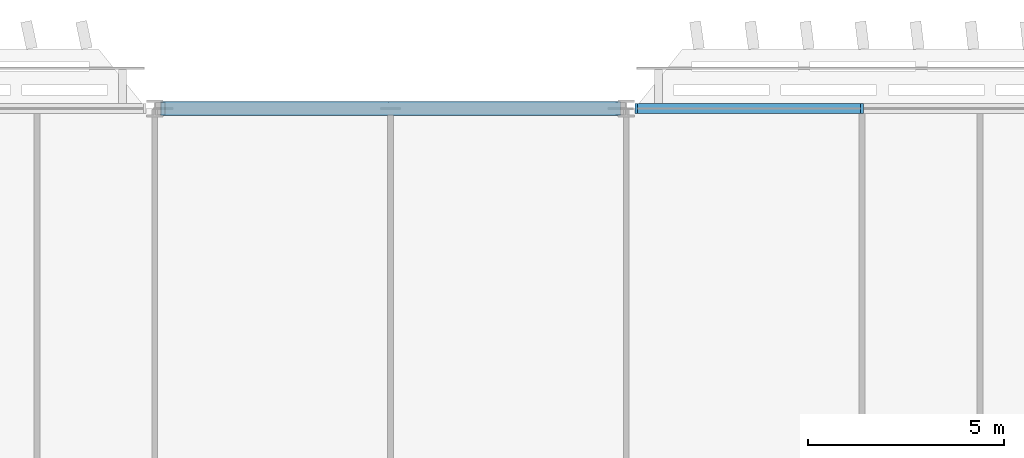
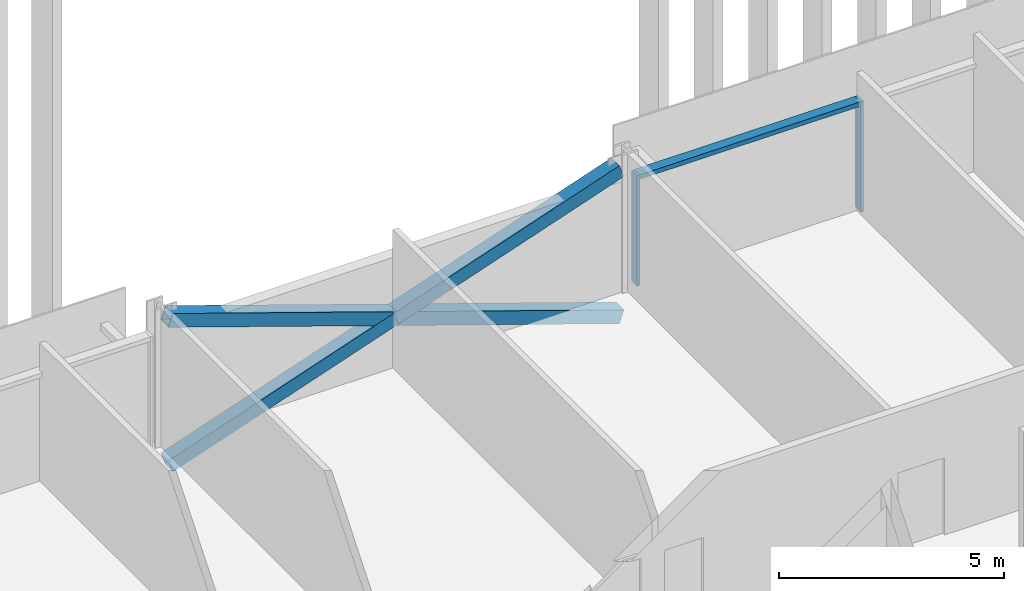
# One storey, part 6 of 33: 6 members, 1 element without a shape of its own.
"""IFC4 building model written with IfcOpenShell, lengths in metres."""

from ifc_helpers import new_model, si_unit, direction, frame, origin, origin_2d, place, context, subcontext, project, spatial, rectangle, hollow_rectangle, extrude, material, material_profile, profile_set, type_object, element, aggregate, save


model = new_model("IFC4")

# Units and contexts
model_context = context("Model", 3, precision=1e-05, world=origin(), true_north=direction((0.0, 1.0)))
body_context = subcontext(model_context, "Body", "Model", "MODEL_VIEW")
ifc_project = project(units=[si_unit("LENGTHUNIT", "METRE"), si_unit("AREAUNIT", "SQUARE_METRE"), si_unit("VOLUMEUNIT", "CUBIC_METRE"), si_unit("PLANEANGLEUNIT", "RADIAN"), si_unit("MASSUNIT", "GRAM", prefix="KILO")], contexts=[model_context])

# Site, building, storey
site_placement = place(None, origin())
site = spatial("IfcSite", under=ifc_project, at=site_placement, CompositionType="ELEMENT")
building_placement = place(site_placement, origin())
building = spatial("IfcBuilding", under=site, at=building_placement, Name="Mahtab Terrace Research Tower", CompositionType="ELEMENT")
storey_placement = place(building_placement, frame((0.0, 0.0, 122.0)))
storey = spatial("IfcBuildingStorey", under=building, at=storey_placement, Name="L28", CompositionType="ELEMENT", Elevation=122.0)

# Members
ifc_material_1 = material(Name="Steel ASTM A500 Gr C", Category="steel")
ifc_material_profile_1 = material_profile(ifc_material_1, hollow_rectangle(XDim=0.355712890625, YDim=0.355712890625, WallThickness=0.01904296875, at=origin_2d()), Name="HSS14X14X3/4")
ifc_profile_set_1 = profile_set([ifc_material_profile_1], Name="Steel ASTM A500 Gr C")
member_type_1 = type_object("IfcMemberType", Name="HSS 14x14x3/4 brace XB141434", PredefinedType="BRACE", material=ifc_profile_set_1)
member_1_placement = place(storey_placement, frame((5.794189453125, 29.0, -0.648193359375), z_axis=(-0.946288278, 0.0, 0.323324132908), x_axis=(0.0, -1.0, 0.0)))
element("IfcMember", 1, at=member_1_placement, inside=storey, type_object=member_type_1, Name="Exoskeleton brace L28 04 a", PredefinedType="BRACE", context=body_context, shape_type="SweptSolid", body=[
    extrude(hollow_rectangle(XDim=0.355712890625, YDim=0.355712890625, WallThickness=0.01904296875, at=origin_2d()), origin(), (0.0, 0.0, 1.0), 12.24609375),
])
for number, where, z_axis, x_axis, name in (
    (2, (-5.794189453125, 29.0, -0.648193359375), (0.946288278, 0.0, 0.323324132908), (0.0, 1.0, 0.0), "Exoskeleton brace L28 04 b1"),
    (3, (0.0, 29.0, 1.33154296875), (0.946288278, 0.0, 0.323324132908), (0.0, 1.0, 0.0), "Exoskeleton brace L28 04 b2"),
):
    element("IfcMember", number, at=place(storey_placement, frame(where, z_axis=z_axis, x_axis=x_axis)), inside=storey, type_object=member_type_1, Name=name, PredefinedType="BRACE", context=body_context, shape_type="SweptSolid", body=[
        extrude(hollow_rectangle(XDim=0.355712890625, YDim=0.355712890625, WallThickness=0.01904296875, at=origin_2d()), origin(), (0.0, 0.0, 1.0), 6.123046875),
    ])

# Curtain wall, members
ifc_material_2 = material(Name="Sky lounge full-height curtain wall")
curtain_wall_type = type_object("IfcCurtainWallType", Name="Sky lounge full-height curtain wall", PredefinedType="NOTDEFINED", material=ifc_material_2)
curtain_wall_placement = place(storey_placement, origin())
curtain_wall = element("IfcCurtainWall", 4, at=curtain_wall_placement, inside=storey, type_object=curtain_wall_type, Name="EN.L28.3.5", PredefinedType="NOTDEFINED")
ifc_material_3 = material(Name="Natural anodised aluminium", Category="aluminium")
ifc_material_profile_2 = material_profile(ifc_material_3, rectangle(XDim=0.25, YDim=0.070068359375, at=origin_2d()), Name="MULLION 70x250")
ifc_profile_set_2 = profile_set([ifc_material_profile_2], Name="Natural anodised aluminium")
member_type_2 = type_object("IfcMemberType", Name="Sky lounge full-height curtain wall mullion", PredefinedType="MULLION", material=ifc_profile_set_2)
member_2_placement = place(storey_placement, frame((12.0, 29.0, 0.0), z_axis=(0.0, 0.0, 1.0), x_axis=(0.0, -1.0, 0.0)))
member_2 = element("IfcMember", 5, at=member_2_placement, type_object=member_type_2, Name="CWS-4 mullion 2", PredefinedType="MULLION", context=body_context, shape_type="SweptSolid", body=[
    extrude(rectangle(XDim=0.25, YDim=0.070068359375, at=origin_2d()), origin(), (0.0, 0.0, 1.0), 3.003173828125),
])
member_3_placement = place(storey_placement, frame((6.2529296875, 29.0, 0.0), z_axis=(0.0, 0.0, 1.0), x_axis=(0.0, -1.0, 0.0)))
member_3 = element("IfcMember", 6, at=member_3_placement, type_object=member_type_2, Name="CWS-4 mullion 3", PredefinedType="MULLION", context=body_context, shape_type="SweptSolid", body=[
    extrude(rectangle(XDim=0.25, YDim=0.070068359375, at=origin_2d()), origin(), (0.0, 0.0, 1.0), 3.003173828125),
])
ifc_material_profile_3 = material_profile(ifc_material_3, rectangle(XDim=0.25, YDim=0.1201171875, at=origin_2d()), Name="TRANSOM 120x250")
ifc_profile_set_3 = profile_set([ifc_material_profile_3], Name="Natural anodised aluminium")
member_type_3 = type_object("IfcMemberType", Name="Sky lounge full-height curtain wall transom", PredefinedType="USERDEFINED", material=ifc_profile_set_3)
member_4_placement = place(storey_placement, frame((11.965087890625, 29.0, 2.943115234375), z_axis=(-1.0, 0.0, 0.0), x_axis=(0.0, -1.0, 0.0)))
member_4 = element("IfcMember", 7, at=member_4_placement, type_object=member_type_3, Name="CWS-4 transom 2", ObjectType="TRANSOM", PredefinedType="USERDEFINED", context=body_context, shape_type="SweptSolid", body=[
    extrude(rectangle(XDim=0.25, YDim=0.1201171875, at=origin_2d()), origin(), (0.0, 0.0, 1.0), 5.677001953125),
])
aggregate(curtain_wall, [member_2, member_3, member_4])

save(model, "model.ifc")
